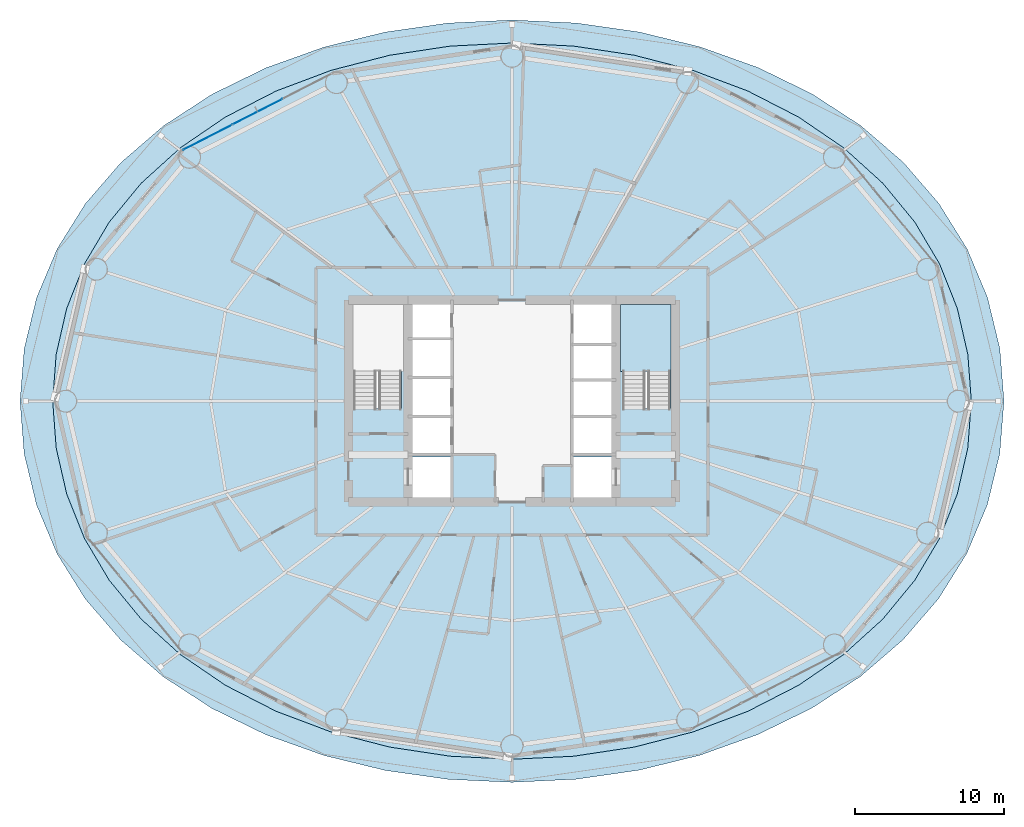
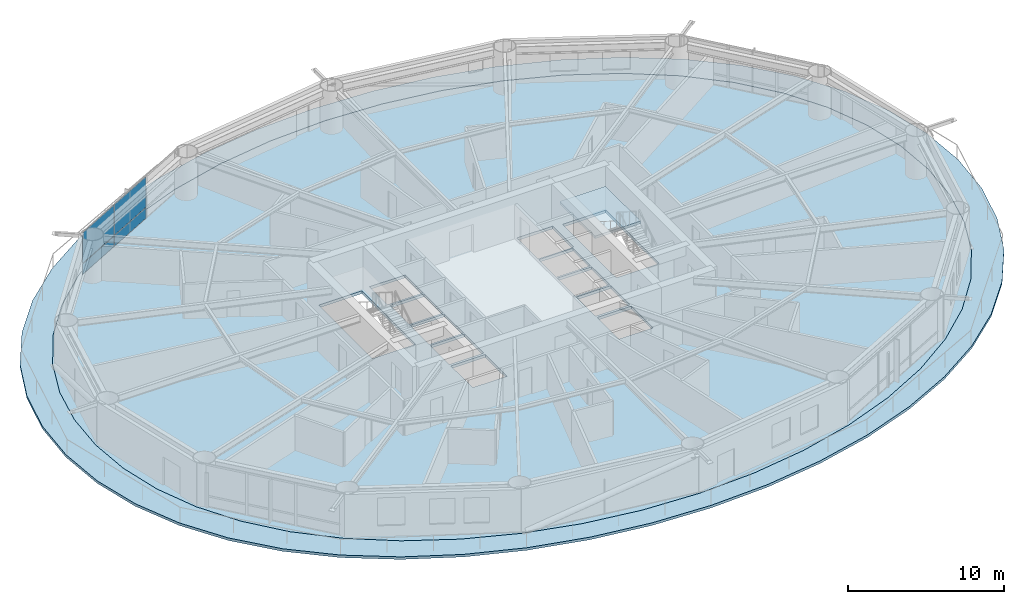
# One storey, part 19 of 28: 4 plates, 3 slabs, 2 elements without a shape of their own.
"""IFC4 building model written with IfcOpenShell, lengths in metres."""

from ifc_helpers import new_model, si_unit, direction, frame, origin, origin_2d, place, context, subcontext, project, spatial, polyline, rectangle, outline, extrude, material, layer, layer_set, type_object, element, aggregate, save


model = new_model("IFC4")

# Units and contexts
model_context = context("Model", 3, precision=1e-05, world=origin(), true_north=direction((0.0, 1.0)))
body_context = subcontext(model_context, "Body", "Model", "MODEL_VIEW")
ifc_project = project(units=[si_unit("LENGTHUNIT", "METRE"), si_unit("AREAUNIT", "SQUARE_METRE"), si_unit("VOLUMEUNIT", "CUBIC_METRE"), si_unit("PLANEANGLEUNIT", "RADIAN"), si_unit("MASSUNIT", "GRAM", prefix="KILO")], contexts=[model_context])

# Site, building, storey
site_placement = place(None, origin())
site = spatial("IfcSite", under=ifc_project, at=site_placement, CompositionType="ELEMENT")
building_placement = place(site_placement, origin())
building = spatial("IfcBuilding", under=site, at=building_placement, Name="Sarneth Arch Tower", CompositionType="ELEMENT")
storey_placement = place(building_placement, frame((0.0, 0.0, 31.800048828125)))
storey = spatial("IfcBuildingStorey", under=building, at=storey_placement, Name="L06", CompositionType="ELEMENT", Elevation=31.800048828125)

# Curtain wall, plates
ifc_material_1 = material(Name="Anodised aluminium Type AA25 and solar-control low-e laminated IGU", Category="aluminium")
ifc_layer_1 = layer(ifc_material_1, 0.159912109375)
ifc_layer_set_1 = layer_set([ifc_layer_1], Name="Anodised aluminium Type AA25 and solar-control low-e laminated IGU")
curtain_wall_type = type_object("IfcCurtainWallType", Name="CW-HOTEL-LOW", PredefinedType="NOTDEFINED", material=ifc_layer_set_1)
curtain_wall_placement = place(storey_placement, origin())
curtain_wall = element("IfcCurtainWall", 1, at=curtain_wall_placement, inside=storey, type_object=curtain_wall_type, Name="L06 Unitised curtain wall facet 06", PredefinedType="NOTDEFINED")
ifc_material_2 = material(Name="Solar-control low-e laminated IGU", Category="glass")
ifc_layer_2 = layer(ifc_material_2, 0.028076171875)
ifc_layer_set_2 = layer_set([ifc_layer_2], Name="Solar-control low-e laminated IGU")
plate_type = type_object("IfcPlateType", Name="CW-PANEL", PredefinedType="CURTAIN_PANEL", material=ifc_layer_set_2)
plate_1_placement = place(storey_placement, frame((30.8740234375, 61.473876953125, 0.059814453125), z_axis=(0.0, 0.0, 1.0), x_axis=(-0.889854100456, -0.456245197127, 0.0)))
plate_1 = element("IfcPlate", 2, at=plate_1_placement, type_object=plate_type, Name="Curtain wall glazed vision pane CW-L06-F06/P01-00", PredefinedType="CURTAIN_PANEL", context=body_context, shape_type="SweptSolid", body=[
    extrude(rectangle(XDim=3.721923828125, YDim=0.028076171875, at=origin_2d()), origin(), (0.0, 0.0, 1.0), 0.81005859375),
])
plate_2_placement = place(storey_placement, frame((30.8740234375, 61.473876953125, 0.93017578125), z_axis=(0.0, 0.0, 1.0), x_axis=(-0.889854100456, -0.456245197127, 0.0)))
plate_2 = element("IfcPlate", 3, at=plate_2_placement, type_object=plate_type, Name="Curtain wall glazed vision pane CW-L06-F06/P01-01", PredefinedType="CURTAIN_PANEL", context=body_context, shape_type="SweptSolid", body=[
    extrude(rectangle(XDim=3.721923828125, YDim=0.028076171875, at=origin_2d()), origin(), (0.0, 0.0, 1.0), 2.389892578125),
])
plate_3_placement = place(storey_placement, frame((27.52197265625, 59.75537109375, 0.059814453125), z_axis=(0.0, 0.0, 1.0), x_axis=(-0.889854100456, -0.456245197127, 0.0)))
plate_3 = element("IfcPlate", 4, at=plate_3_placement, type_object=plate_type, Name="Curtain wall glazed vision pane CW-L06-F06/P02-00", PredefinedType="CURTAIN_PANEL", context=body_context, shape_type="SweptSolid", body=[
    extrude(rectangle(XDim=3.69189453125, YDim=0.028076171875, at=origin_2d()), origin(), (0.0, 0.0, 1.0), 0.81005859375),
])
plate_4_placement = place(storey_placement, frame((27.52197265625, 59.75537109375, 0.93017578125), z_axis=(0.0, 0.0, 1.0), x_axis=(-0.889854100456, -0.456245197127, 0.0)))
plate_4 = element("IfcPlate", 5, at=plate_4_placement, type_object=plate_type, Name="Curtain wall glazed vision pane CW-L06-F06/P02-01", PredefinedType="CURTAIN_PANEL", context=body_context, shape_type="SweptSolid", body=[
    extrude(rectangle(XDim=3.69189453125, YDim=0.028076171875, at=origin_2d()), origin(), (0.0, 0.0, 1.0), 2.389892578125),
])
aggregate(curtain_wall, [plate_1, plate_2, plate_3, plate_4])

# Slab
ifc_material_3 = material(Name="Concrete C50/60", Category="concrete")
ifc_layer_3 = layer(ifc_material_3, 0.199951171875)
ifc_layer_set_3 = layer_set([ifc_layer_3], Name="Concrete C50/60")
slab_type_1 = type_object("IfcSlabType", Name="SLAB-BALC-200", PredefinedType="FLOOR", material=ifc_layer_set_3)
slab_1_placement = place(storey_placement, frame((0.0, 0.0, -0.199951171875)))
element("IfcSlab", 6, at=slab_1_placement, inside=storey, type_object=slab_type_1, Name="L06 Helical balcony band slab", PredefinedType="FLOOR", context=body_context, shape_type="SweptSolid", body=[
    extrude(outline(polyline([(81.109375, 42.0), (80.83251953125, 45.531005859375), (80.000244140625, 48.97412109375), (78.625, 52.251953125), (76.724853515625, 55.302978515625), (74.3251953125, 58.08056640625), (71.462890625, 60.548583984375), (68.1875, 62.678955078125), (64.5615234375, 64.44970703125), (60.656982421875, 65.843017578125), (56.547607421875, 66.84619140625), (52.305908203125, 67.4501953125), (48.0, 67.650146484375), (43.694580078125, 67.4443359375), (39.45458984375, 66.835205078125), (35.347900390625, 65.82763671875), (31.4462890625, 64.431640625), (27.823486328125, 62.659912109375), (24.55078125, 60.5302734375), (21.68994140625, 58.064697265625), (19.290771484375, 55.291015625), (17.388916015625, 52.244140625), (16.01025390625, 48.97021484375), (15.17333984375, 45.52978515625), (14.890625, 42.0), (15.16748046875, 38.468994140625), (15.999755859375, 35.02587890625), (17.375, 31.748046875), (19.275146484375, 28.697021484375), (21.6748046875, 25.91943359375), (24.537109375, 23.451416015625), (27.8125, 21.321044921875), (31.4384765625, 19.55029296875), (35.343017578125, 18.156982421875), (39.452392578125, 17.15380859375), (43.694091796875, 16.5498046875), (48.0, 16.349853515625), (52.305419921875, 16.5556640625), (56.54541015625, 17.164794921875), (60.652099609375, 18.17236328125), (64.5537109375, 19.568359375), (68.176513671875, 21.340087890625), (71.44921875, 23.4697265625), (74.31005859375, 25.935302734375), (76.709228515625, 28.708984375), (78.611083984375, 31.755859375), (79.98974609375, 35.02978515625), (80.82666015625, 38.47021484375), (81.109375, 42.0)]), holes=[polyline([(78.90966796875, 42.0), (78.675048828125, 45.145751953125), (77.9677734375, 48.237548828125), (76.780029296875, 51.22265625), (75.10595703125, 54.050048828125), (72.94873046875, 56.671142578125), (70.32861328125, 59.041259765625), (67.2841796875, 61.119873046875), (63.8720703125, 62.87109375), (60.162109375, 64.265380859375), (56.2294921875, 65.27880859375), (52.150634765625, 65.893798828125), (48.0, 66.10009765625), (43.849365234375, 65.893798828125), (39.7705078125, 65.27880859375), (35.837890625, 64.265380859375), (32.1279296875, 62.87109375), (28.7158203125, 61.119873046875), (25.67138671875, 59.041259765625), (23.05126953125, 56.671142578125), (20.89404296875, 54.050048828125), (19.219970703125, 51.22265625), (18.0322265625, 48.237548828125), (17.324951171875, 45.145751953125), (17.09033203125, 42.0), (17.324951171875, 38.854248046875), (18.0322265625, 35.762451171875), (19.219970703125, 32.77734375), (20.89404296875, 29.949951171875), (23.05126953125, 27.328857421875), (25.67138671875, 24.958740234375), (28.7158203125, 22.880126953125), (32.1279296875, 21.12890625), (35.837890625, 19.734619140625), (39.7705078125, 18.72119140625), (43.849365234375, 18.106201171875), (48.0, 17.89990234375), (52.150634765625, 18.106201171875), (56.2294921875, 18.72119140625), (60.162109375, 19.734619140625), (63.8720703125, 21.12890625), (67.2841796875, 22.880126953125), (70.32861328125, 24.958740234375), (72.94873046875, 27.328857421875), (75.10595703125, 29.949951171875), (76.780029296875, 32.77734375), (77.9677734375, 35.762451171875), (78.675048828125, 38.854248046875), (78.90966796875, 42.0)])]), origin(), (0.0, 0.0, 1.0), 0.199951171875),
])

# Stair, slab
ifc_material_4 = material(Name="Concrete C50/60", Category="concrete")
stair_type = type_object("IfcStairType", Name="STAIR-CORE-RC", PredefinedType="HALF_TURN_STAIR", material=ifc_material_4)
stair_placement = place(storey_placement, origin())
stair = element("IfcStair", 7, at=stair_placement, inside=storey, type_object=stair_type, Name="L06 Core Exit Stair 2", PredefinedType="HALF_TURN_STAIR")
ifc_material_5 = material(Name="Concrete C50/60", Category="concrete")
ifc_layer_4 = layer(ifc_material_5, 0.199951171875)
ifc_layer_set_4 = layer_set([ifc_layer_4], Name="Concrete C50/60")
slab_type_2 = type_object("IfcSlabType", Name="SLAB-LANDING-200", PredefinedType="LANDING", material=ifc_layer_set_4)
slab_2_placement = place(storey_placement, frame((0.0, 0.0, 1.599853515625)))
slab_2 = element("IfcSlab", 8, at=slab_2_placement, type_object=slab_type_2, Name="ST-2 landing 1", PredefinedType="LANDING", context=body_context, shape_type="SweptSolid", body=[
    extrude(outline(polyline([(55.300048828125, 43.985107421875), (58.699951171875, 43.985107421875), (58.699951171875, 48.5), (55.300048828125, 48.5), (55.300048828125, 43.985107421875)])), origin(), (0.0, 0.0, 1.0), 0.2001953125),
])
aggregate(stair, [slab_2])

# Slab
ifc_material_6 = material(Name="Concrete C50/60", Category="concrete")
ifc_layer_5 = layer(ifc_material_6, 0.219970703125)
ifc_layer_set_5 = layer_set([ifc_layer_5], Name="Concrete C50/60")
slab_type_3 = type_object("IfcSlabType", Name="SLAB-TOWER-220", PredefinedType="FLOOR", material=ifc_layer_set_5)
slab_3_placement = place(storey_placement, frame((0.0, 0.0, -0.219970703125)))
element("IfcSlab", 9, at=slab_3_placement, inside=storey, type_object=slab_type_3, Name="L06 Elliptical floor slab", PredefinedType="FLOOR", context=body_context, shape_type="SweptSolid", body=[
    extrude(outline(polyline([(78.90966796875, 42.0), (78.675048828125, 45.145751953125), (77.9677734375, 48.237548828125), (76.780029296875, 51.22265625), (75.10595703125, 54.050048828125), (72.94873046875, 56.671142578125), (70.32861328125, 59.041259765625), (67.2841796875, 61.119873046875), (63.8720703125, 62.87109375), (60.162109375, 64.265380859375), (56.2294921875, 65.27880859375), (52.150634765625, 65.893798828125), (48.0, 66.10009765625), (43.849365234375, 65.893798828125), (39.7705078125, 65.27880859375), (35.837890625, 64.265380859375), (32.1279296875, 62.87109375), (28.7158203125, 61.119873046875), (25.67138671875, 59.041259765625), (23.05126953125, 56.671142578125), (20.89404296875, 54.050048828125), (19.219970703125, 51.22265625), (18.0322265625, 48.237548828125), (17.324951171875, 45.145751953125), (17.09033203125, 42.0), (17.324951171875, 38.854248046875), (18.0322265625, 35.762451171875), (19.219970703125, 32.77734375), (20.89404296875, 29.949951171875), (23.05126953125, 27.328857421875), (25.67138671875, 24.958740234375), (28.7158203125, 22.880126953125), (32.1279296875, 21.12890625), (35.837890625, 19.734619140625), (39.7705078125, 18.72119140625), (43.849365234375, 18.106201171875), (48.0, 17.89990234375), (52.150634765625, 18.106201171875), (56.2294921875, 18.72119140625), (60.162109375, 19.734619140625), (63.8720703125, 21.12890625), (67.2841796875, 22.880126953125), (70.32861328125, 24.958740234375), (72.94873046875, 27.328857421875), (75.10595703125, 29.949951171875), (76.780029296875, 32.77734375), (77.9677734375, 35.762451171875), (78.675048828125, 38.854248046875), (78.90966796875, 42.0)]), holes=[polyline([(37.35009765625, 41.489990234375), (40.550048828125, 41.489990234375), (40.550048828125, 48.39990234375), (37.35009765625, 48.39990234375), (37.35009765625, 41.489990234375)]), polyline([(55.449951171875, 41.489990234375), (58.64990234375, 41.489990234375), (58.64990234375, 48.39990234375), (55.449951171875, 48.39990234375), (55.449951171875, 41.489990234375)]), polyline([(41.199951171875, 46.25), (43.85009765625, 46.25), (43.85009765625, 48.550048828125), (41.199951171875, 48.550048828125), (41.199951171875, 46.25)]), polyline([(41.300048828125, 35.449951171875), (43.85009765625, 35.449951171875), (43.85009765625, 38.25), (41.300048828125, 38.25), (41.300048828125, 35.449951171875)]), polyline([(52.14990234375, 35.449951171875), (54.699951171875, 35.449951171875), (54.699951171875, 38.25), (52.14990234375, 38.25), (52.14990234375, 35.449951171875)]), polyline([(52.14990234375, 45.85009765625), (54.800048828125, 45.85009765625), (54.800048828125, 48.550048828125), (52.14990234375, 48.550048828125), (52.14990234375, 45.85009765625)]), polyline([(41.300048828125, 38.449951171875), (43.85009765625, 38.449951171875), (43.85009765625, 40.89990234375), (41.300048828125, 40.89990234375), (41.300048828125, 38.449951171875)]), polyline([(41.300048828125, 41.050048828125), (43.85009765625, 41.050048828125), (43.85009765625, 43.5), (41.300048828125, 43.5), (41.300048828125, 41.050048828125)]), polyline([(41.300048828125, 43.64990234375), (43.85009765625, 43.64990234375), (43.85009765625, 46.10009765625), (41.300048828125, 46.10009765625), (41.300048828125, 43.64990234375)]), polyline([(52.14990234375, 38.449951171875), (54.699951171875, 38.449951171875), (54.699951171875, 40.89990234375), (52.14990234375, 40.89990234375), (52.14990234375, 38.449951171875)]), polyline([(52.14990234375, 41.050048828125), (54.699951171875, 41.050048828125), (54.699951171875, 43.35009765625), (52.14990234375, 43.35009765625), (52.14990234375, 41.050048828125)]), polyline([(52.14990234375, 43.5), (54.699951171875, 43.5), (54.699951171875, 45.75), (52.14990234375, 45.75), (52.14990234375, 43.5)])]), origin(), (0.0, 0.0, 1.0), 0.219970703125),
])

save(model, "model.ifc")
